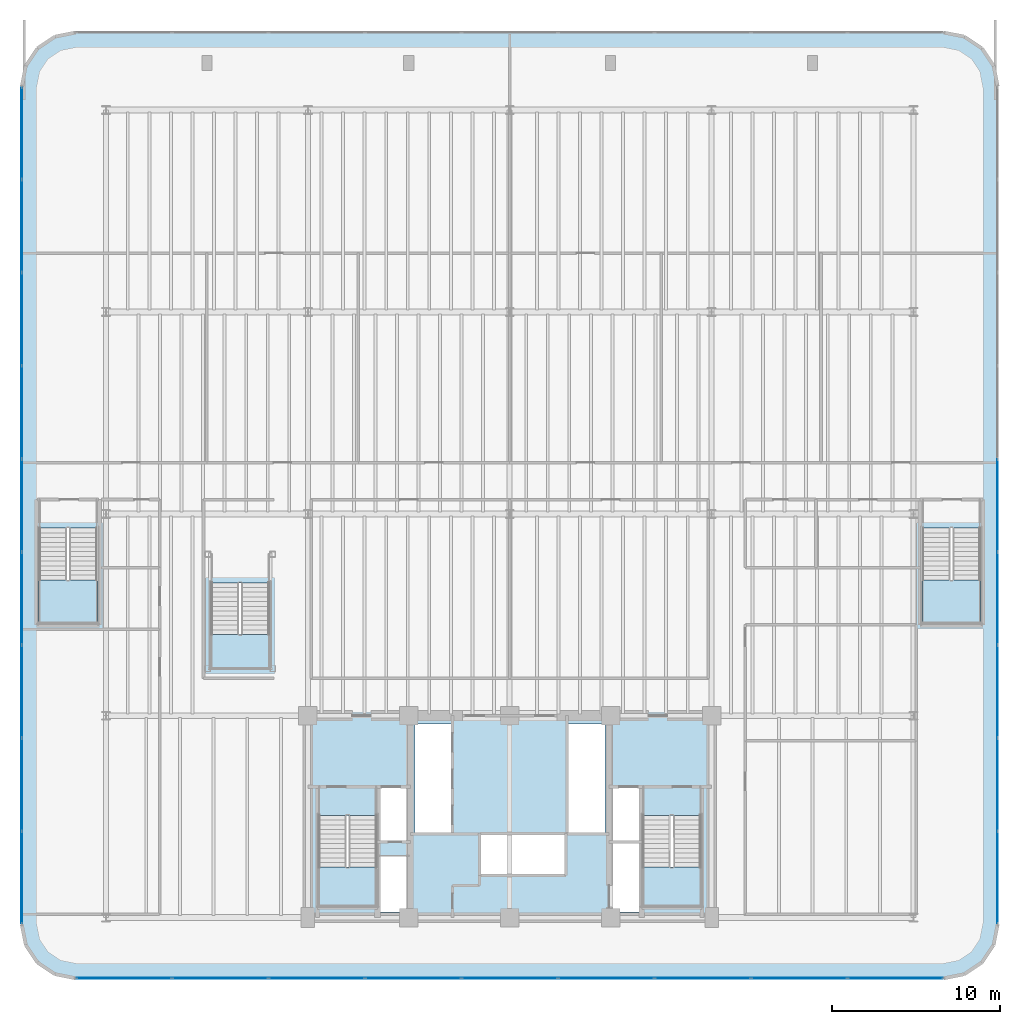
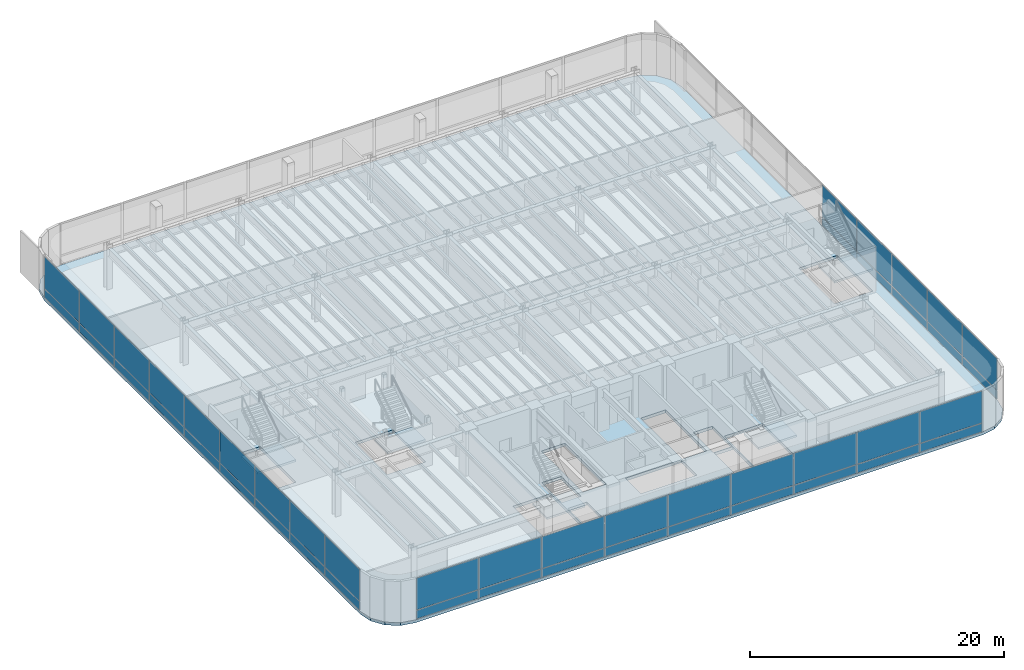
# One storey, part 10 of 18: 46 plates, 6 slabs, 8 elements without a shape of their own.
"""IFC4 building model written with IfcOpenShell, lengths in metres."""

from ifc_helpers import new_model, si_unit, direction, frame, origin, origin_2d, place, context, subcontext, project, spatial, polyline, rectangle, outline, extrude, source, transform, mapped, material, layer, layer_set, type_object, element, aggregate, save


model = new_model("IFC4")

# Units and contexts
model_context = context("Model", 3, precision=1e-05, world=origin(), true_north=direction((0.0, 1.0)))
body_context = subcontext(model_context, "Body", "Model", "MODEL_VIEW")
ifc_project = project(units=[si_unit("LENGTHUNIT", "METRE"), si_unit("AREAUNIT", "SQUARE_METRE"), si_unit("VOLUMEUNIT", "CUBIC_METRE"), si_unit("PLANEANGLEUNIT", "RADIAN"), si_unit("MASSUNIT", "GRAM", prefix="KILO")], contexts=[model_context])

# Site, building, storey
site_placement = place(None, origin())
site = spatial("IfcSite", under=ifc_project, at=site_placement, CompositionType="ELEMENT")
building_placement = place(site_placement, origin())
building = spatial("IfcBuilding", under=site, at=building_placement, Name="Brelvock Crest Care Tower", CompositionType="ELEMENT")
storey_placement = place(building_placement, frame((0.0, 0.0, 5.39990234375)))
storey = spatial("IfcBuildingStorey", under=building, at=storey_placement, Name="L01", CompositionType="ELEMENT", Elevation=5.39990234375)

# Slab
ifc_material_1 = material(Name="Concrete N50 (50 MPa)", Category="concrete")
ifc_layer_1 = layer(ifc_material_1, 0.280029296875, Name="SLB-FL2")
ifc_layer_set_1 = layer_set([ifc_layer_1], Name="Concrete N50 (50 MPa)")
slab_type_1 = type_object("IfcSlabType", Name="SLB-FL2", PredefinedType="FLOOR", material=ifc_layer_set_1)
slab_1_placement = place(storey_placement, frame((0.0, 0.0, -0.27978515625)))
element("IfcSlab", 1, at=slab_1_placement, inside=storey, type_object=slab_type_1, Name="L01 Main Structural Slab", PredefinedType="FLOOR", context=body_context, shape_type="SweptSolid", body=[
    extrude(outline(polyline([(61.800048828125, 2.39990234375), (63.024658203125, 2.6435546875), (64.062744140625, 3.33740234375), (64.75634765625, 4.37548828125), (65.0, 5.60009765625), (65.0, 55.39990234375), (64.75634765625, 56.62451171875), (64.062744140625, 57.66259765625), (63.024658203125, 58.3564453125), (61.800048828125, 58.60009765625), (10.199951171875, 58.60009765625), (8.975341796875, 58.3564453125), (7.937255859375, 57.66259765625), (7.24365234375, 56.62451171875), (7.0, 55.39990234375), (7.0, 5.60009765625), (7.24365234375, 4.37548828125), (7.937255859375, 3.33740234375), (8.975341796875, 2.6435546875), (10.199951171875, 2.39990234375), (61.800048828125, 2.39990234375)]), holes=[polyline([(28.239990234375, 10.580078125), (29.97998046875, 10.580078125), (29.97998046875, 13.739990234375), (28.239990234375, 13.739990234375), (28.239990234375, 10.580078125)]), polyline([(42.02001953125, 10.580078125), (43.760009765625, 10.580078125), (43.760009765625, 13.739990234375), (42.02001953125, 13.739990234375), (42.02001953125, 10.580078125)]), polyline([(28.239990234375, 6.340087890625), (29.97998046875, 6.340087890625), (29.97998046875, 9.64990234375), (28.239990234375, 9.64990234375), (28.239990234375, 6.340087890625)]), polyline([(24.6298828125, 12.080078125), (24.6298828125, 6.699951171875), (28.110107421875, 6.699951171875), (28.110107421875, 12.080078125), (24.6298828125, 12.080078125)]), polyline([(43.889892578125, 12.080078125), (43.889892578125, 6.699951171875), (47.3701171875, 6.699951171875), (47.3701171875, 12.080078125), (43.889892578125, 12.080078125)]), polyline([(8.010009765625, 29.14990234375), (8.010009765625, 23.5), (11.489990234375, 23.5), (11.489990234375, 29.14990234375), (8.010009765625, 29.14990234375)]), polyline([(60.510009765625, 29.14990234375), (60.510009765625, 23.5), (63.989990234375, 23.5), (63.989990234375, 29.14990234375), (60.510009765625, 29.14990234375)]), polyline([(18.239990234375, 25.89990234375), (18.239990234375, 20.800048828125), (21.719970703125, 20.800048828125), (21.719970703125, 25.89990234375), (18.239990234375, 25.89990234375)]), polyline([(42.02001953125, 6.340087890625), (43.760009765625, 6.340087890625), (43.760009765625, 10.5), (42.02001953125, 10.5), (42.02001953125, 6.340087890625)]), polyline([(30.3798828125, 11.030029296875), (32.52001953125, 11.030029296875), (32.52001953125, 17.52001953125), (30.3798828125, 17.52001953125), (30.3798828125, 11.030029296875)]), polyline([(34.22998046875, 8.530029296875), (39.320068359375, 8.530029296875), (39.320068359375, 10.969970703125), (34.22998046875, 10.969970703125), (34.22998046875, 8.530029296875)]), polyline([(39.429931640625, 11.030029296875), (41.669921875, 11.030029296875), (41.669921875, 17.52001953125), (39.429931640625, 17.52001953125), (39.429931640625, 11.030029296875)])]), origin(), (0.0, 0.0, 1.0), 0.27978515625),
])

# Stair, slab
ifc_material_2 = material(Name="Concrete N40 (40 MPa)", Category="concrete")
stair_type_1 = type_object("IfcStairType", Name="ST-CORE1", PredefinedType="HALF_TURN_STAIR", material=ifc_material_2)
stair_1_placement = place(storey_placement, origin())
stair_1 = element("IfcStair", 2, at=stair_1_placement, inside=storey, type_object=stair_type_1, Name="L01 Fire-Isolated Core Stair ST-1", PredefinedType="HALF_TURN_STAIR")
ifc_layer_2 = layer(ifc_material_2, 0.199951171875, Name="STL-1")
ifc_layer_set_2 = layer_set([ifc_layer_2], Name="Concrete N40 (40 MPa)")
slab_type_2 = type_object("IfcSlabType", Name="STL-1", PredefinedType="LANDING", material=ifc_layer_set_2)
slab_2_placement = place(storey_placement, frame((0.0, 0.0, 1.960205078125)))
slab_2 = element("IfcSlab", 3, at=slab_2_placement, type_object=slab_type_2, Name="ST-1 landing 1", PredefinedType="LANDING", context=body_context, shape_type="SweptSolid", body=[
    extrude(outline(polyline([(24.6298828125, 9.0), (24.6298828125, 6.699951171875), (28.110107421875, 6.699951171875), (28.110107421875, 9.0), (24.6298828125, 9.0)])), origin(), (0.0, 0.0, 1.0), 0.199951171875),
])
aggregate(stair_1, [slab_2])

stair_2_placement = place(storey_placement, origin())
stair_2 = element("IfcStair", 4, at=stair_2_placement, inside=storey, type_object=stair_type_1, Name="L01 Fire-Isolated Core Stair ST-2", PredefinedType="HALF_TURN_STAIR")
slab_3_placement = place(storey_placement, frame((0.0, 0.0, 1.960205078125)))
slab_3 = element("IfcSlab", 5, at=slab_3_placement, type_object=slab_type_2, Name="ST-2 landing 1", PredefinedType="LANDING", context=body_context, shape_type="SweptSolid", body=[
    extrude(outline(polyline([(43.889892578125, 9.0), (43.889892578125, 6.699951171875), (47.3701171875, 6.699951171875), (47.3701171875, 9.0), (43.889892578125, 9.0)])), origin(), (0.0, 0.0, 1.0), 0.199951171875),
])
aggregate(stair_2, [slab_3])

stair_type_2 = type_object("IfcStairType", Name="ST-POD1", PredefinedType="HALF_TURN_STAIR", material=ifc_material_2)
stair_3_placement = place(storey_placement, origin())
stair_3 = element("IfcStair", 6, at=stair_3_placement, inside=storey, type_object=stair_type_2, Name="L01 Podium West Fire Stair ST-3", PredefinedType="HALF_TURN_STAIR")
slab_4_placement = place(storey_placement, frame((0.0, 0.0, 1.960205078125)))
slab_4 = element("IfcSlab", 7, at=slab_4_placement, type_object=slab_type_2, Name="ST-3 landing 1", PredefinedType="LANDING", context=body_context, shape_type="SweptSolid", body=[
    extrude(outline(polyline([(8.010009765625, 26.070068359375), (8.010009765625, 23.5), (11.489990234375, 23.5), (11.489990234375, 26.070068359375), (8.010009765625, 26.070068359375)])), origin(), (0.0, 0.0, 1.0), 0.199951171875),
])
aggregate(stair_3, [slab_4])

stair_4_placement = place(storey_placement, origin())
stair_4 = element("IfcStair", 8, at=stair_4_placement, inside=storey, type_object=stair_type_2, Name="L01 Podium East Fire Stair ST-4", PredefinedType="HALF_TURN_STAIR")
slab_5_placement = place(storey_placement, frame((0.0, 0.0, 1.960205078125)))
slab_5 = element("IfcSlab", 9, at=slab_5_placement, type_object=slab_type_2, Name="ST-4 landing 1", PredefinedType="LANDING", context=body_context, shape_type="SweptSolid", body=[
    extrude(outline(polyline([(60.510009765625, 26.070068359375), (60.510009765625, 23.5), (63.989990234375, 23.5), (63.989990234375, 26.070068359375), (60.510009765625, 26.070068359375)])), origin(), (0.0, 0.0, 1.0), 0.199951171875),
])
aggregate(stair_4, [slab_5])

stair_type_3 = type_object("IfcStairType", Name="ST-FEA1", PredefinedType="HALF_TURN_STAIR", material=ifc_material_2)
stair_5_placement = place(storey_placement, origin())
stair_5 = element("IfcStair", 10, at=stair_5_placement, inside=storey, type_object=stair_type_3, Name="L01 Clinic Atrium Feature Stair ST-5", PredefinedType="HALF_TURN_STAIR")
slab_6_placement = place(storey_placement, frame((0.0, 0.0, 1.960205078125)))
slab_6 = element("IfcSlab", 11, at=slab_6_placement, type_object=slab_type_2, Name="ST-5 landing 1", PredefinedType="LANDING", context=body_context, shape_type="SweptSolid", body=[
    extrude(outline(polyline([(18.239990234375, 22.820068359375), (18.239990234375, 20.800048828125), (21.719970703125, 20.800048828125), (21.719970703125, 22.820068359375), (18.239990234375, 22.820068359375)])), origin(), (0.0, 0.0, 1.0), 0.199951171875),
])
aggregate(stair_5, [slab_6])

# Curtain wall, plates
ifc_material_3 = material(Name="Dark Glass Double Glazed Low-E", Category="glass")
ifc_layer_3 = layer(ifc_material_3, 0.179931640625, Name="CWS-1")
ifc_layer_set_3 = layer_set([ifc_layer_3], Name="Dark Glass Double Glazed Low-E")
curtain_wall_type = type_object("IfcCurtainWallType", Name="CWS-1", PredefinedType="NOTDEFINED", material=ifc_layer_set_3)
curtain_wall_1_placement = place(storey_placement, origin())
curtain_wall_1 = element("IfcCurtainWall", 12, at=curtain_wall_1_placement, inside=storey, type_object=curtain_wall_type, Name="L01 Curtain Wall E04", PredefinedType="NOTDEFINED")
ifc_material_4 = material(Name="Dark Glass Shadow-Box Spandrel", Category="glass")
ifc_layer_4 = layer(ifc_material_4, 0.048095703125, Name="CWP-SP1")
ifc_layer_set_4 = layer_set([ifc_layer_4], Name="Dark Glass Shadow-Box Spandrel")
plate_type_1 = type_object("IfcPlateType", Name="CWP-SP1", PredefinedType="SHEET", material=ifc_layer_set_4)
shared_shape_1 = source(origin(), body_context, "Body", "SweptSolid", [
    extrude(rectangle(XDim=5.435791015625, YDim=0.035888671875, at=origin_2d()), origin(), (0.0, 0.0, 1.0), 0.802490234375),
])
plate_1_placement = place(storey_placement, frame((7.0, 8.3828125, 0.06494140625), z_axis=(0.0, 0.0, 1.0), x_axis=(0.0, 1.0, 0.0)))
plate_1 = element("IfcPlate", 13, at=plate_1_placement, type_object=plate_type_1, Name="CW-1 panel 1.1", PredefinedType="SHEET", context=body_context, shape_type="MappedRepresentation", body=[
    mapped(shared_shape_1, transform((0.0, 0.0, 0.0), x_axis=(1.0, 0.0, 0.0), y_axis=(0.0, 1.0, 0.0), z_axis=(0.0, 0.0, 1.0), scale=1.0)),
])
plate_2_placement = place(storey_placement, frame((7.0, 52.6171875, 0.06494140625), z_axis=(0.0, 0.0, 1.0), x_axis=(0.0, 1.0, 0.0)))
plate_2 = element("IfcPlate", 14, at=plate_2_placement, type_object=plate_type_1, Name="CW-1 panel 9.1", PredefinedType="SHEET", context=body_context, shape_type="MappedRepresentation", body=[
    mapped(shared_shape_1, transform((0.0, 0.0, 0.0), x_axis=(1.0, 0.0, 0.0), y_axis=(0.0, 1.0, 0.0), z_axis=(0.0, 0.0, 1.0), scale=1.0)),
])

# Curtain wall, plate
curtain_wall_2_placement = place(storey_placement, origin())
curtain_wall_2 = element("IfcCurtainWall", 15, at=curtain_wall_2_placement, inside=storey, type_object=curtain_wall_type, Name="L01 Curtain Wall E14", PredefinedType="NOTDEFINED")
plate_3_placement = place(storey_placement, frame((65.0, 8.3828125, 0.06494140625), z_axis=(0.0, 0.0, 1.0), x_axis=(0.0, -1.0, 0.0)))
plate_3 = element("IfcPlate", 16, at=plate_3_placement, type_object=plate_type_1, Name="CW-1 panel 9.1", PredefinedType="SHEET", context=body_context, shape_type="MappedRepresentation", body=[
    mapped(shared_shape_1, transform((0.0, 0.0, 0.0), x_axis=(1.0, 0.0, 0.0), y_axis=(0.0, 1.0, 0.0), z_axis=(0.0, 0.0, 1.0), scale=1.0)),
])

# Plate
ifc_layer_5 = layer(ifc_material_3, 0.031982421875, Name="CWP-V1")
ifc_layer_set_5 = layer_set([ifc_layer_5], Name="Dark Glass Double Glazed Low-E")
plate_type_2 = type_object("IfcPlateType", Name="CWP-V1", PredefinedType="CURTAIN_PANEL", material=ifc_layer_set_5)
shared_shape_2 = source(origin(), body_context, "Body", "SweptSolid", [
    extrude(rectangle(XDim=5.435791015625, YDim=0.035888671875, at=origin_2d()), origin(), (0.0, 0.0, 1.0), 3.04248046875),
])
plate_4_placement = place(storey_placement, frame((7.0, 8.3828125, 0.9326171875), z_axis=(0.0, 0.0, 1.0), x_axis=(0.0, 1.0, 0.0)))
plate_4 = element("IfcPlate", 17, at=plate_4_placement, type_object=plate_type_2, Name="CW-1 panel 1.2", PredefinedType="CURTAIN_PANEL", context=body_context, shape_type="MappedRepresentation", body=[
    mapped(shared_shape_2, transform((0.0, 0.0, 0.0), x_axis=(1.0, 0.0, 0.0), y_axis=(0.0, 1.0, 0.0), z_axis=(0.0, 0.0, 1.0), scale=1.0)),
])

plate_5_placement = place(storey_placement, frame((7.0, 52.6171875, 0.9326171875), z_axis=(0.0, 0.0, 1.0), x_axis=(0.0, 1.0, 0.0)))
plate_5 = element("IfcPlate", 18, at=plate_5_placement, type_object=plate_type_2, Name="CW-1 panel 9.2", PredefinedType="CURTAIN_PANEL", context=body_context, shape_type="MappedRepresentation", body=[
    mapped(shared_shape_2, transform((0.0, 0.0, 0.0), x_axis=(1.0, 0.0, 0.0), y_axis=(0.0, 1.0, 0.0), z_axis=(0.0, 0.0, 1.0), scale=1.0)),
])

plate_6_placement = place(storey_placement, frame((65.0, 8.3828125, 0.9326171875), z_axis=(0.0, 0.0, 1.0), x_axis=(0.0, -1.0, 0.0)))
plate_6 = element("IfcPlate", 19, at=plate_6_placement, type_object=plate_type_2, Name="CW-1 panel 9.2", PredefinedType="CURTAIN_PANEL", context=body_context, shape_type="MappedRepresentation", body=[
    mapped(shared_shape_2, transform((0.0, 0.0, 0.0), x_axis=(1.0, 0.0, 0.0), y_axis=(0.0, 1.0, 0.0), z_axis=(0.0, 0.0, 1.0), scale=1.0)),
])

shared_shape_3 = source(origin(), body_context, "Body", "SweptSolid", [
    extrude(rectangle(XDim=5.46826171875, YDim=0.035888671875, at=origin_2d()), origin(), (0.0, 0.0, 1.0), 0.802490234375),
])
plate_7_placement = place(storey_placement, frame((7.0, 13.89990234375, 0.06494140625), z_axis=(0.0, 0.0, 1.0), x_axis=(0.0, 1.0, 0.0)))
plate_7 = element("IfcPlate", 20, at=plate_7_placement, type_object=plate_type_1, Name="CW-1 panel 2.1", PredefinedType="SHEET", context=body_context, shape_type="MappedRepresentation", body=[
    mapped(shared_shape_3, transform((0.0, 0.0, 0.0), x_axis=(1.0, 0.0, 0.0), y_axis=(0.0, 1.0, 0.0), z_axis=(0.0, 0.0, 1.0), scale=1.0)),
])

plate_8_placement = place(storey_placement, frame((7.0, 19.433349609375, 0.06494140625), z_axis=(0.0, 0.0, 1.0), x_axis=(0.0, 1.0, 0.0)))
plate_8 = element("IfcPlate", 21, at=plate_8_placement, type_object=plate_type_1, Name="CW-1 panel 3.1", PredefinedType="SHEET", context=body_context, shape_type="MappedRepresentation", body=[
    mapped(shared_shape_3, transform((0.0, 0.0, 0.0), x_axis=(1.0, 0.0, 0.0), y_axis=(0.0, 1.0, 0.0), z_axis=(0.0, 0.0, 1.0), scale=1.0)),
])

plate_9_placement = place(storey_placement, frame((7.0, 24.966552734375, 0.06494140625), z_axis=(0.0, 0.0, 1.0), x_axis=(0.0, 1.0, 0.0)))
plate_9 = element("IfcPlate", 22, at=plate_9_placement, type_object=plate_type_1, Name="CW-1 panel 4.1", PredefinedType="SHEET", context=body_context, shape_type="MappedRepresentation", body=[
    mapped(shared_shape_3, transform((0.0, 0.0, 0.0), x_axis=(1.0, 0.0, 0.0), y_axis=(0.0, 1.0, 0.0), z_axis=(0.0, 0.0, 1.0), scale=1.0)),
])

plate_10_placement = place(storey_placement, frame((7.0, 30.5, 0.06494140625), z_axis=(0.0, 0.0, 1.0), x_axis=(0.0, 1.0, 0.0)))
plate_10 = element("IfcPlate", 23, at=plate_10_placement, type_object=plate_type_1, Name="CW-1 panel 5.1", PredefinedType="SHEET", context=body_context, shape_type="MappedRepresentation", body=[
    mapped(shared_shape_3, transform((0.0, 0.0, 0.0), x_axis=(1.0, 0.0, 0.0), y_axis=(0.0, 1.0, 0.0), z_axis=(0.0, 0.0, 1.0), scale=1.0)),
])

plate_11_placement = place(storey_placement, frame((7.0, 36.033447265625, 0.06494140625), z_axis=(0.0, 0.0, 1.0), x_axis=(0.0, 1.0, 0.0)))
plate_11 = element("IfcPlate", 24, at=plate_11_placement, type_object=plate_type_1, Name="CW-1 panel 6.1", PredefinedType="SHEET", context=body_context, shape_type="MappedRepresentation", body=[
    mapped(shared_shape_3, transform((0.0, 0.0, 0.0), x_axis=(1.0, 0.0, 0.0), y_axis=(0.0, 1.0, 0.0), z_axis=(0.0, 0.0, 1.0), scale=1.0)),
])

plate_12_placement = place(storey_placement, frame((7.0, 41.566650390625, 0.06494140625), z_axis=(0.0, 0.0, 1.0), x_axis=(0.0, 1.0, 0.0)))
plate_12 = element("IfcPlate", 25, at=plate_12_placement, type_object=plate_type_1, Name="CW-1 panel 7.1", PredefinedType="SHEET", context=body_context, shape_type="MappedRepresentation", body=[
    mapped(shared_shape_3, transform((0.0, 0.0, 0.0), x_axis=(1.0, 0.0, 0.0), y_axis=(0.0, 1.0, 0.0), z_axis=(0.0, 0.0, 1.0), scale=1.0)),
])

plate_13_placement = place(storey_placement, frame((7.0, 47.10009765625, 0.06494140625), z_axis=(0.0, 0.0, 1.0), x_axis=(0.0, 1.0, 0.0)))
plate_13 = element("IfcPlate", 26, at=plate_13_placement, type_object=plate_type_1, Name="CW-1 panel 8.1", PredefinedType="SHEET", context=body_context, shape_type="MappedRepresentation", body=[
    mapped(shared_shape_3, transform((0.0, 0.0, 0.0), x_axis=(1.0, 0.0, 0.0), y_axis=(0.0, 1.0, 0.0), z_axis=(0.0, 0.0, 1.0), scale=1.0)),
])

plate_14_placement = place(storey_placement, frame((65.0, 30.5, 0.06494140625), z_axis=(0.0, 0.0, 1.0), x_axis=(0.0, -1.0, 0.0)))
plate_14 = element("IfcPlate", 27, at=plate_14_placement, type_object=plate_type_1, Name="CW-1 panel 5.1", PredefinedType="SHEET", context=body_context, shape_type="MappedRepresentation", body=[
    mapped(shared_shape_3, transform((0.0, 0.0, 0.0), x_axis=(1.0, 0.0, 0.0), y_axis=(0.0, 1.0, 0.0), z_axis=(0.0, 0.0, 1.0), scale=1.0)),
])

plate_15_placement = place(storey_placement, frame((65.0, 24.966552734375, 0.06494140625), z_axis=(0.0, 0.0, 1.0), x_axis=(0.0, -1.0, 0.0)))
plate_15 = element("IfcPlate", 28, at=plate_15_placement, type_object=plate_type_1, Name="CW-1 panel 6.1", PredefinedType="SHEET", context=body_context, shape_type="MappedRepresentation", body=[
    mapped(shared_shape_3, transform((0.0, 0.0, 0.0), x_axis=(1.0, 0.0, 0.0), y_axis=(0.0, 1.0, 0.0), z_axis=(0.0, 0.0, 1.0), scale=1.0)),
])

plate_16_placement = place(storey_placement, frame((65.0, 19.433349609375, 0.06494140625), z_axis=(0.0, 0.0, 1.0), x_axis=(0.0, -1.0, 0.0)))
plate_16 = element("IfcPlate", 29, at=plate_16_placement, type_object=plate_type_1, Name="CW-1 panel 7.1", PredefinedType="SHEET", context=body_context, shape_type="MappedRepresentation", body=[
    mapped(shared_shape_3, transform((0.0, 0.0, 0.0), x_axis=(1.0, 0.0, 0.0), y_axis=(0.0, 1.0, 0.0), z_axis=(0.0, 0.0, 1.0), scale=1.0)),
])

plate_17_placement = place(storey_placement, frame((65.0, 13.89990234375, 0.06494140625), z_axis=(0.0, 0.0, 1.0), x_axis=(0.0, -1.0, 0.0)))
plate_17 = element("IfcPlate", 30, at=plate_17_placement, type_object=plate_type_1, Name="CW-1 panel 8.1", PredefinedType="SHEET", context=body_context, shape_type="MappedRepresentation", body=[
    mapped(shared_shape_3, transform((0.0, 0.0, 0.0), x_axis=(1.0, 0.0, 0.0), y_axis=(0.0, 1.0, 0.0), z_axis=(0.0, 0.0, 1.0), scale=1.0)),
])

shared_shape_4 = source(origin(), body_context, "Body", "SweptSolid", [
    extrude(rectangle(XDim=5.46826171875, YDim=0.035888671875, at=origin_2d()), origin(), (0.0, 0.0, 1.0), 3.04248046875),
])
plate_18_placement = place(storey_placement, frame((7.0, 13.89990234375, 0.9326171875), z_axis=(0.0, 0.0, 1.0), x_axis=(0.0, 1.0, 0.0)))
plate_18 = element("IfcPlate", 31, at=plate_18_placement, type_object=plate_type_2, Name="CW-1 panel 2.2", PredefinedType="CURTAIN_PANEL", context=body_context, shape_type="MappedRepresentation", body=[
    mapped(shared_shape_4, transform((0.0, 0.0, 0.0), x_axis=(1.0, 0.0, 0.0), y_axis=(0.0, 1.0, 0.0), z_axis=(0.0, 0.0, 1.0), scale=1.0)),
])

plate_19_placement = place(storey_placement, frame((7.0, 19.433349609375, 0.9326171875), z_axis=(0.0, 0.0, 1.0), x_axis=(0.0, 1.0, 0.0)))
plate_19 = element("IfcPlate", 32, at=plate_19_placement, type_object=plate_type_2, Name="CW-1 panel 3.2", PredefinedType="CURTAIN_PANEL", context=body_context, shape_type="MappedRepresentation", body=[
    mapped(shared_shape_4, transform((0.0, 0.0, 0.0), x_axis=(1.0, 0.0, 0.0), y_axis=(0.0, 1.0, 0.0), z_axis=(0.0, 0.0, 1.0), scale=1.0)),
])

plate_20_placement = place(storey_placement, frame((7.0, 24.966552734375, 0.9326171875), z_axis=(0.0, 0.0, 1.0), x_axis=(0.0, 1.0, 0.0)))
plate_20 = element("IfcPlate", 33, at=plate_20_placement, type_object=plate_type_2, Name="CW-1 panel 4.2", PredefinedType="CURTAIN_PANEL", context=body_context, shape_type="MappedRepresentation", body=[
    mapped(shared_shape_4, transform((0.0, 0.0, 0.0), x_axis=(1.0, 0.0, 0.0), y_axis=(0.0, 1.0, 0.0), z_axis=(0.0, 0.0, 1.0), scale=1.0)),
])

plate_21_placement = place(storey_placement, frame((7.0, 30.5, 0.9326171875), z_axis=(0.0, 0.0, 1.0), x_axis=(0.0, 1.0, 0.0)))
plate_21 = element("IfcPlate", 34, at=plate_21_placement, type_object=plate_type_2, Name="CW-1 panel 5.2", PredefinedType="CURTAIN_PANEL", context=body_context, shape_type="MappedRepresentation", body=[
    mapped(shared_shape_4, transform((0.0, 0.0, 0.0), x_axis=(1.0, 0.0, 0.0), y_axis=(0.0, 1.0, 0.0), z_axis=(0.0, 0.0, 1.0), scale=1.0)),
])

plate_22_placement = place(storey_placement, frame((7.0, 36.033447265625, 0.9326171875), z_axis=(0.0, 0.0, 1.0), x_axis=(0.0, 1.0, 0.0)))
plate_22 = element("IfcPlate", 35, at=plate_22_placement, type_object=plate_type_2, Name="CW-1 panel 6.2", PredefinedType="CURTAIN_PANEL", context=body_context, shape_type="MappedRepresentation", body=[
    mapped(shared_shape_4, transform((0.0, 0.0, 0.0), x_axis=(1.0, 0.0, 0.0), y_axis=(0.0, 1.0, 0.0), z_axis=(0.0, 0.0, 1.0), scale=1.0)),
])

plate_23_placement = place(storey_placement, frame((7.0, 41.566650390625, 0.9326171875), z_axis=(0.0, 0.0, 1.0), x_axis=(0.0, 1.0, 0.0)))
plate_23 = element("IfcPlate", 36, at=plate_23_placement, type_object=plate_type_2, Name="CW-1 panel 7.2", PredefinedType="CURTAIN_PANEL", context=body_context, shape_type="MappedRepresentation", body=[
    mapped(shared_shape_4, transform((0.0, 0.0, 0.0), x_axis=(1.0, 0.0, 0.0), y_axis=(0.0, 1.0, 0.0), z_axis=(0.0, 0.0, 1.0), scale=1.0)),
])

plate_24_placement = place(storey_placement, frame((7.0, 47.10009765625, 0.9326171875), z_axis=(0.0, 0.0, 1.0), x_axis=(0.0, 1.0, 0.0)))
plate_24 = element("IfcPlate", 37, at=plate_24_placement, type_object=plate_type_2, Name="CW-1 panel 8.2", PredefinedType="CURTAIN_PANEL", context=body_context, shape_type="MappedRepresentation", body=[
    mapped(shared_shape_4, transform((0.0, 0.0, 0.0), x_axis=(1.0, 0.0, 0.0), y_axis=(0.0, 1.0, 0.0), z_axis=(0.0, 0.0, 1.0), scale=1.0)),
])

aggregate(curtain_wall_1, [plate_1, plate_4, plate_7, plate_18, plate_8, plate_19, plate_9, plate_20, plate_10, plate_21, plate_11, plate_22, plate_12, plate_23, plate_13, plate_24, plate_2, plate_5])

plate_25_placement = place(storey_placement, frame((65.0, 30.5, 0.9326171875), z_axis=(0.0, 0.0, 1.0), x_axis=(0.0, -1.0, 0.0)))
plate_25 = element("IfcPlate", 38, at=plate_25_placement, type_object=plate_type_2, Name="CW-1 panel 5.2", PredefinedType="CURTAIN_PANEL", context=body_context, shape_type="MappedRepresentation", body=[
    mapped(shared_shape_4, transform((0.0, 0.0, 0.0), x_axis=(1.0, 0.0, 0.0), y_axis=(0.0, 1.0, 0.0), z_axis=(0.0, 0.0, 1.0), scale=1.0)),
])

plate_26_placement = place(storey_placement, frame((65.0, 24.966552734375, 0.9326171875), z_axis=(0.0, 0.0, 1.0), x_axis=(0.0, -1.0, 0.0)))
plate_26 = element("IfcPlate", 39, at=plate_26_placement, type_object=plate_type_2, Name="CW-1 panel 6.2", PredefinedType="CURTAIN_PANEL", context=body_context, shape_type="MappedRepresentation", body=[
    mapped(shared_shape_4, transform((0.0, 0.0, 0.0), x_axis=(1.0, 0.0, 0.0), y_axis=(0.0, 1.0, 0.0), z_axis=(0.0, 0.0, 1.0), scale=1.0)),
])

plate_27_placement = place(storey_placement, frame((65.0, 19.433349609375, 0.9326171875), z_axis=(0.0, 0.0, 1.0), x_axis=(0.0, -1.0, 0.0)))
plate_27 = element("IfcPlate", 40, at=plate_27_placement, type_object=plate_type_2, Name="CW-1 panel 7.2", PredefinedType="CURTAIN_PANEL", context=body_context, shape_type="MappedRepresentation", body=[
    mapped(shared_shape_4, transform((0.0, 0.0, 0.0), x_axis=(1.0, 0.0, 0.0), y_axis=(0.0, 1.0, 0.0), z_axis=(0.0, 0.0, 1.0), scale=1.0)),
])

plate_28_placement = place(storey_placement, frame((65.0, 13.89990234375, 0.9326171875), z_axis=(0.0, 0.0, 1.0), x_axis=(0.0, -1.0, 0.0)))
plate_28 = element("IfcPlate", 41, at=plate_28_placement, type_object=plate_type_2, Name="CW-1 panel 8.2", PredefinedType="CURTAIN_PANEL", context=body_context, shape_type="MappedRepresentation", body=[
    mapped(shared_shape_4, transform((0.0, 0.0, 0.0), x_axis=(1.0, 0.0, 0.0), y_axis=(0.0, 1.0, 0.0), z_axis=(0.0, 0.0, 1.0), scale=1.0)),
])

aggregate(curtain_wall_2, [plate_14, plate_25, plate_15, plate_26, plate_16, plate_27, plate_17, plate_28, plate_3, plate_6])

# Curtain wall, plates
curtain_wall_3_placement = place(storey_placement, origin())
curtain_wall_3 = element("IfcCurtainWall", 42, at=curtain_wall_3_placement, inside=storey, type_object=curtain_wall_type, Name="L01 Curtain Wall E19", PredefinedType="NOTDEFINED")
shared_shape_5 = source(origin(), body_context, "Body", "SweptSolid", [
    extrude(rectangle(XDim=5.6357421875, YDim=0.035888671875, at=origin_2d()), origin(), (0.0, 0.0, 1.0), 0.802490234375),
])
plate_29_placement = place(storey_placement, frame((58.9169921875, 2.39990234375, 0.06494140625), z_axis=(0.0, 0.0, 1.0), x_axis=(-1.0, 0.0, 0.0)))
plate_29 = element("IfcPlate", 43, at=plate_29_placement, type_object=plate_type_1, Name="CW-1 panel 1.1", PredefinedType="SHEET", context=body_context, shape_type="MappedRepresentation", body=[
    mapped(shared_shape_5, transform((0.0, 0.0, 0.0), x_axis=(1.0, 0.0, 0.0), y_axis=(0.0, 1.0, 0.0), z_axis=(0.0, 0.0, 1.0), scale=1.0)),
])
plate_30_placement = place(storey_placement, frame((13.0830078125, 2.39990234375, 0.06494140625), z_axis=(0.0, 0.0, 1.0), x_axis=(-1.0, 0.0, 0.0)))
plate_30 = element("IfcPlate", 44, at=plate_30_placement, type_object=plate_type_1, Name="CW-1 panel 9.1", PredefinedType="SHEET", context=body_context, shape_type="MappedRepresentation", body=[
    mapped(shared_shape_5, transform((0.0, 0.0, 0.0), x_axis=(1.0, 0.0, 0.0), y_axis=(0.0, 1.0, 0.0), z_axis=(0.0, 0.0, 1.0), scale=1.0)),
])
shared_shape_6 = source(origin(), body_context, "Body", "SweptSolid", [
    extrude(rectangle(XDim=5.6357421875, YDim=0.035888671875, at=origin_2d()), origin(), (0.0, 0.0, 1.0), 3.04248046875),
])
plate_31_placement = place(storey_placement, frame((58.9169921875, 2.39990234375, 0.9326171875), z_axis=(0.0, 0.0, 1.0), x_axis=(-1.0, 0.0, 0.0)))
plate_31 = element("IfcPlate", 45, at=plate_31_placement, type_object=plate_type_2, Name="CW-1 panel 1.2", PredefinedType="CURTAIN_PANEL", context=body_context, shape_type="MappedRepresentation", body=[
    mapped(shared_shape_6, transform((0.0, 0.0, 0.0), x_axis=(1.0, 0.0, 0.0), y_axis=(0.0, 1.0, 0.0), z_axis=(0.0, 0.0, 1.0), scale=1.0)),
])
plate_32_placement = place(storey_placement, frame((13.0830078125, 2.39990234375, 0.9326171875), z_axis=(0.0, 0.0, 1.0), x_axis=(-1.0, 0.0, 0.0)))
plate_32 = element("IfcPlate", 46, at=plate_32_placement, type_object=plate_type_2, Name="CW-1 panel 9.2", PredefinedType="CURTAIN_PANEL", context=body_context, shape_type="MappedRepresentation", body=[
    mapped(shared_shape_6, transform((0.0, 0.0, 0.0), x_axis=(1.0, 0.0, 0.0), y_axis=(0.0, 1.0, 0.0), z_axis=(0.0, 0.0, 1.0), scale=1.0)),
])
shared_shape_7 = source(origin(), body_context, "Body", "SweptSolid", [
    extrude(rectangle(XDim=5.668212890625, YDim=0.035888671875, at=origin_2d()), origin(), (0.0, 0.0, 1.0), 0.802490234375),
])
plate_33_placement = place(storey_placement, frame((53.199951171875, 2.39990234375, 0.06494140625), z_axis=(0.0, 0.0, 1.0), x_axis=(-1.0, 0.0, 0.0)))
plate_33 = element("IfcPlate", 47, at=plate_33_placement, type_object=plate_type_1, Name="CW-1 panel 2.1", PredefinedType="SHEET", context=body_context, shape_type="MappedRepresentation", body=[
    mapped(shared_shape_7, transform((0.0, 0.0, 0.0), x_axis=(1.0, 0.0, 0.0), y_axis=(0.0, 1.0, 0.0), z_axis=(0.0, 0.0, 1.0), scale=1.0)),
])
plate_34_placement = place(storey_placement, frame((47.466552734375, 2.39990234375, 0.06494140625), z_axis=(0.0, 0.0, 1.0), x_axis=(-1.0, 0.0, 0.0)))
plate_34 = element("IfcPlate", 48, at=plate_34_placement, type_object=plate_type_1, Name="CW-1 panel 3.1", PredefinedType="SHEET", context=body_context, shape_type="MappedRepresentation", body=[
    mapped(shared_shape_7, transform((0.0, 0.0, 0.0), x_axis=(1.0, 0.0, 0.0), y_axis=(0.0, 1.0, 0.0), z_axis=(0.0, 0.0, 1.0), scale=1.0)),
])
plate_35_placement = place(storey_placement, frame((41.7333984375, 2.39990234375, 0.06494140625), z_axis=(0.0, 0.0, 1.0), x_axis=(-1.0, 0.0, 0.0)))
plate_35 = element("IfcPlate", 49, at=plate_35_placement, type_object=plate_type_1, Name="CW-1 panel 4.1", PredefinedType="SHEET", context=body_context, shape_type="MappedRepresentation", body=[
    mapped(shared_shape_7, transform((0.0, 0.0, 0.0), x_axis=(1.0, 0.0, 0.0), y_axis=(0.0, 1.0, 0.0), z_axis=(0.0, 0.0, 1.0), scale=1.0)),
])
plate_36_placement = place(storey_placement, frame((36.0, 2.39990234375, 0.06494140625), z_axis=(0.0, 0.0, 1.0), x_axis=(-1.0, 0.0, 0.0)))
plate_36 = element("IfcPlate", 50, at=plate_36_placement, type_object=plate_type_1, Name="CW-1 panel 5.1", PredefinedType="SHEET", context=body_context, shape_type="MappedRepresentation", body=[
    mapped(shared_shape_7, transform((0.0, 0.0, 0.0), x_axis=(1.0, 0.0, 0.0), y_axis=(0.0, 1.0, 0.0), z_axis=(0.0, 0.0, 1.0), scale=1.0)),
])
plate_37_placement = place(storey_placement, frame((30.2666015625, 2.39990234375, 0.06494140625), z_axis=(0.0, 0.0, 1.0), x_axis=(-1.0, 0.0, 0.0)))
plate_37 = element("IfcPlate", 51, at=plate_37_placement, type_object=plate_type_1, Name="CW-1 panel 6.1", PredefinedType="SHEET", context=body_context, shape_type="MappedRepresentation", body=[
    mapped(shared_shape_7, transform((0.0, 0.0, 0.0), x_axis=(1.0, 0.0, 0.0), y_axis=(0.0, 1.0, 0.0), z_axis=(0.0, 0.0, 1.0), scale=1.0)),
])
plate_38_placement = place(storey_placement, frame((24.533447265625, 2.39990234375, 0.06494140625), z_axis=(0.0, 0.0, 1.0), x_axis=(-1.0, 0.0, 0.0)))
plate_38 = element("IfcPlate", 52, at=plate_38_placement, type_object=plate_type_1, Name="CW-1 panel 7.1", PredefinedType="SHEET", context=body_context, shape_type="MappedRepresentation", body=[
    mapped(shared_shape_7, transform((0.0, 0.0, 0.0), x_axis=(1.0, 0.0, 0.0), y_axis=(0.0, 1.0, 0.0), z_axis=(0.0, 0.0, 1.0), scale=1.0)),
])
plate_39_placement = place(storey_placement, frame((18.800048828125, 2.39990234375, 0.06494140625), z_axis=(0.0, 0.0, 1.0), x_axis=(-1.0, 0.0, 0.0)))
plate_39 = element("IfcPlate", 53, at=plate_39_placement, type_object=plate_type_1, Name="CW-1 panel 8.1", PredefinedType="SHEET", context=body_context, shape_type="MappedRepresentation", body=[
    mapped(shared_shape_7, transform((0.0, 0.0, 0.0), x_axis=(1.0, 0.0, 0.0), y_axis=(0.0, 1.0, 0.0), z_axis=(0.0, 0.0, 1.0), scale=1.0)),
])
shared_shape_8 = source(origin(), body_context, "Body", "SweptSolid", [
    extrude(rectangle(XDim=5.668212890625, YDim=0.035888671875, at=origin_2d()), origin(), (0.0, 0.0, 1.0), 3.04248046875),
])
plate_40_placement = place(storey_placement, frame((53.199951171875, 2.39990234375, 0.9326171875), z_axis=(0.0, 0.0, 1.0), x_axis=(-1.0, 0.0, 0.0)))
plate_40 = element("IfcPlate", 54, at=plate_40_placement, type_object=plate_type_2, Name="CW-1 panel 2.2", PredefinedType="CURTAIN_PANEL", context=body_context, shape_type="MappedRepresentation", body=[
    mapped(shared_shape_8, transform((0.0, 0.0, 0.0), x_axis=(1.0, 0.0, 0.0), y_axis=(0.0, 1.0, 0.0), z_axis=(0.0, 0.0, 1.0), scale=1.0)),
])
plate_41_placement = place(storey_placement, frame((47.466552734375, 2.39990234375, 0.9326171875), z_axis=(0.0, 0.0, 1.0), x_axis=(-1.0, 0.0, 0.0)))
plate_41 = element("IfcPlate", 55, at=plate_41_placement, type_object=plate_type_2, Name="CW-1 panel 3.2", PredefinedType="CURTAIN_PANEL", context=body_context, shape_type="MappedRepresentation", body=[
    mapped(shared_shape_8, transform((0.0, 0.0, 0.0), x_axis=(1.0, 0.0, 0.0), y_axis=(0.0, 1.0, 0.0), z_axis=(0.0, 0.0, 1.0), scale=1.0)),
])
plate_42_placement = place(storey_placement, frame((41.7333984375, 2.39990234375, 0.9326171875), z_axis=(0.0, 0.0, 1.0), x_axis=(-1.0, 0.0, 0.0)))
plate_42 = element("IfcPlate", 56, at=plate_42_placement, type_object=plate_type_2, Name="CW-1 panel 4.2", PredefinedType="CURTAIN_PANEL", context=body_context, shape_type="MappedRepresentation", body=[
    mapped(shared_shape_8, transform((0.0, 0.0, 0.0), x_axis=(1.0, 0.0, 0.0), y_axis=(0.0, 1.0, 0.0), z_axis=(0.0, 0.0, 1.0), scale=1.0)),
])
plate_43_placement = place(storey_placement, frame((36.0, 2.39990234375, 0.9326171875), z_axis=(0.0, 0.0, 1.0), x_axis=(-1.0, 0.0, 0.0)))
plate_43 = element("IfcPlate", 57, at=plate_43_placement, type_object=plate_type_2, Name="CW-1 panel 5.2", PredefinedType="CURTAIN_PANEL", context=body_context, shape_type="MappedRepresentation", body=[
    mapped(shared_shape_8, transform((0.0, 0.0, 0.0), x_axis=(1.0, 0.0, 0.0), y_axis=(0.0, 1.0, 0.0), z_axis=(0.0, 0.0, 1.0), scale=1.0)),
])
plate_44_placement = place(storey_placement, frame((30.2666015625, 2.39990234375, 0.9326171875), z_axis=(0.0, 0.0, 1.0), x_axis=(-1.0, 0.0, 0.0)))
plate_44 = element("IfcPlate", 58, at=plate_44_placement, type_object=plate_type_2, Name="CW-1 panel 6.2", PredefinedType="CURTAIN_PANEL", context=body_context, shape_type="MappedRepresentation", body=[
    mapped(shared_shape_8, transform((0.0, 0.0, 0.0), x_axis=(1.0, 0.0, 0.0), y_axis=(0.0, 1.0, 0.0), z_axis=(0.0, 0.0, 1.0), scale=1.0)),
])
plate_45_placement = place(storey_placement, frame((24.533447265625, 2.39990234375, 0.9326171875), z_axis=(0.0, 0.0, 1.0), x_axis=(-1.0, 0.0, 0.0)))
plate_45 = element("IfcPlate", 59, at=plate_45_placement, type_object=plate_type_2, Name="CW-1 panel 7.2", PredefinedType="CURTAIN_PANEL", context=body_context, shape_type="MappedRepresentation", body=[
    mapped(shared_shape_8, transform((0.0, 0.0, 0.0), x_axis=(1.0, 0.0, 0.0), y_axis=(0.0, 1.0, 0.0), z_axis=(0.0, 0.0, 1.0), scale=1.0)),
])
plate_46_placement = place(storey_placement, frame((18.800048828125, 2.39990234375, 0.9326171875), z_axis=(0.0, 0.0, 1.0), x_axis=(-1.0, 0.0, 0.0)))
plate_46 = element("IfcPlate", 60, at=plate_46_placement, type_object=plate_type_2, Name="CW-1 panel 8.2", PredefinedType="CURTAIN_PANEL", context=body_context, shape_type="MappedRepresentation", body=[
    mapped(shared_shape_8, transform((0.0, 0.0, 0.0), x_axis=(1.0, 0.0, 0.0), y_axis=(0.0, 1.0, 0.0), z_axis=(0.0, 0.0, 1.0), scale=1.0)),
])
aggregate(curtain_wall_3, [plate_29, plate_31, plate_33, plate_40, plate_34, plate_41, plate_35, plate_42, plate_36, plate_43, plate_37, plate_44, plate_38, plate_45, plate_39, plate_46, plate_30, plate_32])

save(model, "model.ifc")
